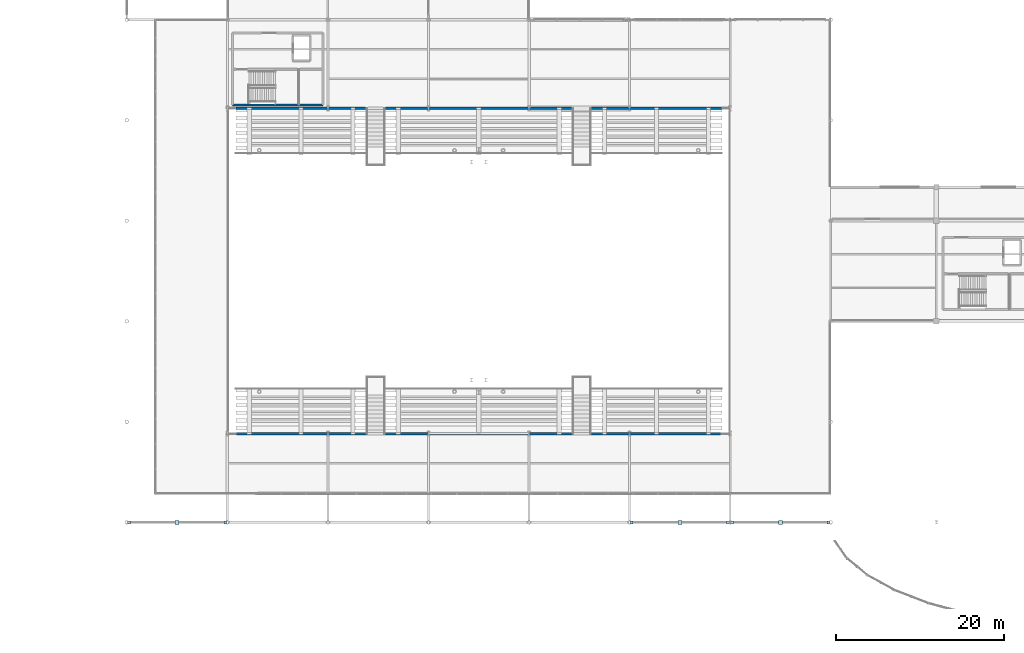
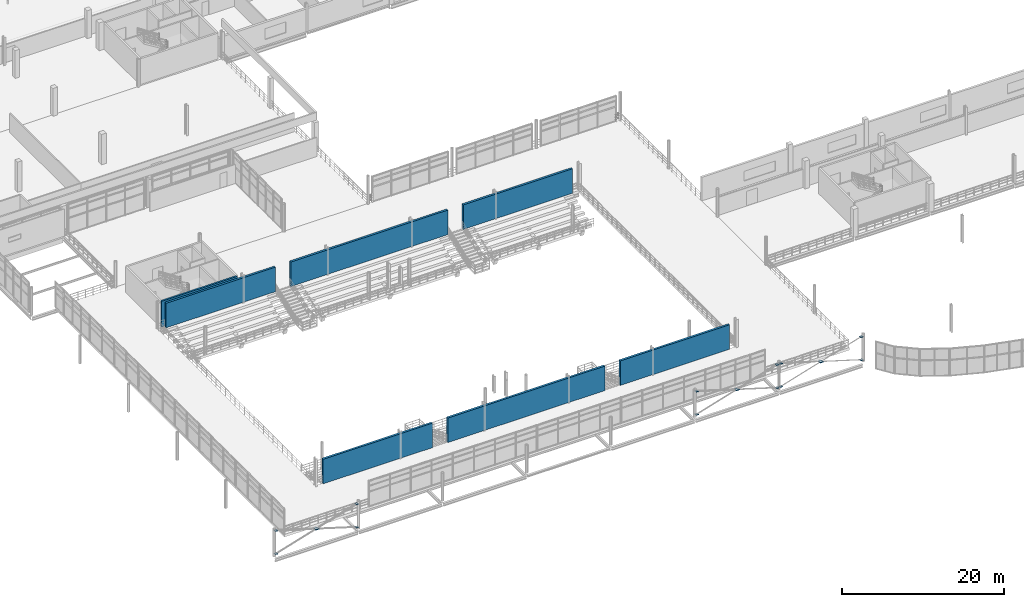
# One storey, part 64 of 89: 15 plates, 7 walls.
"""IFC4 building model written with IfcOpenShell, lengths in metres."""

from ifc_helpers import new_model, si_unit, direction, frame, frame_2d, origin, origin_2d, place, context, subcontext, project, spatial, rectangle, extrude, material, layer, layer_set, type_object, element, save


model = new_model("IFC4")

# Units and contexts
model_context = context("Model", 3, precision=1e-05, world=origin(), true_north=direction((0.0, 1.0)))
body_context = subcontext(model_context, "Body", "Model", "MODEL_VIEW")
ifc_project = project(units=[si_unit("LENGTHUNIT", "METRE"), si_unit("AREAUNIT", "SQUARE_METRE"), si_unit("VOLUMEUNIT", "CUBIC_METRE"), si_unit("PLANEANGLEUNIT", "RADIAN"), si_unit("MASSUNIT", "GRAM", prefix="KILO"), si_unit("THERMODYNAMICTEMPERATUREUNIT", "KELVIN"), si_unit("POWERUNIT", "WATT")], contexts=[model_context])

# Site, building, storey
site_placement = place(None, origin())
site = spatial("IfcSite", under=ifc_project, at=site_placement, CompositionType="ELEMENT")
building_placement = place(site_placement, origin())
building = spatial("IfcBuilding", under=site, at=building_placement, Name="Solmara Park Aquatics Centre", CompositionType="ELEMENT")
storey_placement = place(building_placement, frame((0.0, 0.0, 5.39990234375)))
storey = spatial("IfcBuildingStorey", under=building, at=storey_placement, Name="L01", CompositionType="ELEMENT", Elevation=5.39990234375)

# Plates
ifc_material_1 = material(Name="Structural Steel S355", Category="steel")
ifc_layer_1 = layer(ifc_material_1, 0.02490234375, Name="Structural Steel S355")
ifc_layer_set_1 = layer_set([ifc_layer_1], Name="Structural Steel S355")
plate_type_1 = type_object("IfcPlateType", Name="STR-PLT-CAP360", PredefinedType="SHEET", material=ifc_layer_set_1)
for number, where, z_axis, x_axis, name in (
    (1, (12.840087890625, 12.60009765625, 0.28759765625), (0.0, 0.0, 1.0), (1.0, 0.0, 0.0), "Brace End Connection Cap Plate 037"),
    (2, (24.360107421875, 12.60009765625, 3.78759765625), (0.0, 0.0, 1.0), (1.0, 0.0, 0.0), "Brace End Connection Cap Plate 038"),
    (3, (24.360107421875, 12.60009765625, 0.28759765625), (0.0, 0.0, 1.0), (1.0, 0.0, 0.0), "Brace End Connection Cap Plate 039"),
    (4, (12.840087890625, 12.60009765625, 3.78759765625), (0.0, 0.0, 1.0), (1.0, 0.0, 0.0), "Brace End Connection Cap Plate 040"),
    (5, (72.840087890625, 12.60009765625, 0.28759765625), (0.0, 0.0, 1.0), (1.0, 0.0, 0.0), "Brace End Connection Cap Plate 042"),
    (6, (84.360107421875, 12.60009765625, 3.78759765625), (0.0, 0.0, 1.0), (1.0, 0.0, 0.0), "Brace End Connection Cap Plate 043"),
    (7, (84.360107421875, 12.60009765625, 0.28759765625), (0.0, 0.0, 1.0), (1.0, 0.0, 0.0), "Brace End Connection Cap Plate 044"),
    (8, (72.840087890625, 12.60009765625, 3.78759765625), (0.0, 0.0, 1.0), (1.0, 0.0, 0.0), "Brace End Connection Cap Plate 045"),
    (9, (84.840087890625, 12.60009765625, 0.28759765625), (0.0, 0.0, 1.0), (1.0, 0.0, 0.0), "Brace End Connection Cap Plate 047"),
    (10, (96.360107421875, 12.60009765625, 3.78759765625), (0.0, 0.0, 1.0), (1.0, 0.0, 0.0), "Brace End Connection Cap Plate 048"),
    (11, (96.360107421875, 12.60009765625, 0.28759765625), (0.0, 0.0, 1.0), (1.0, 0.0, 0.0), "Brace End Connection Cap Plate 049"),
    (12, (84.840087890625, 12.60009765625, 3.78759765625), (0.0, 0.0, 1.0), (1.0, 0.0, 0.0), "Brace End Connection Cap Plate 050"),
):
    element("IfcPlate", number, at=place(storey_placement, frame(where, z_axis=z_axis, x_axis=x_axis)), inside=storey, type_object=plate_type_1, Name=name, PredefinedType="SHEET", context=body_context, shape_type="SweptSolid", body=[
        extrude(rectangle(XDim=0.360107421875, YDim=0.360107421875, at=origin_2d()), origin(), (0.0, 0.0, 1.0), 0.02490234375),
    ])
ifc_layer_2 = layer(ifc_material_1, 0.031982421875, Name="Structural Steel S355")
ifc_layer_set_2 = layer_set([ifc_layer_2], Name="Structural Steel S355")
plate_type_2 = type_object("IfcPlateType", Name="STR-PLT-GUS60", PredefinedType="USERDEFINED", material=ifc_layer_set_2)
for number, where, z_axis, x_axis, name in (
    (13, (18.60009765625, 12.60009765625, 2.0341796875), (0.0, 0.0, 1.0), (1.0, 0.0, 0.0), "X-Brace Crossing Gusset Plate 036"),
    (14, (78.60009765625, 12.60009765625, 2.0341796875), (0.0, 0.0, 1.0), (1.0, 0.0, 0.0), "X-Brace Crossing Gusset Plate 041"),
    (15, (90.60009765625, 12.60009765625, 2.0341796875), (0.0, 0.0, 1.0), (1.0, 0.0, 0.0), "X-Brace Crossing Gusset Plate 046"),
):
    element("IfcPlate", number, at=place(storey_placement, frame(where, z_axis=z_axis, x_axis=x_axis)), inside=storey, type_object=plate_type_2, Name=name, ObjectType="GUSSET PLATE", PredefinedType="USERDEFINED", context=body_context, shape_type="SweptSolid", body=[
        extrude(rectangle(XDim=0.47998046875, YDim=0.47998046875, at=origin_2d()), origin(), (0.0, 0.0, 1.0), 0.031982421875),
    ])

# Walls
ifc_material_2 = material(Name="Concrete C40/50", Category="concrete")
ifc_layer_3 = layer(ifc_material_2, 0.25, Name="Concrete C40/50")
ifc_layer_set_3 = layer_set([ifc_layer_3], Name="Concrete C40/50")
wall_type_1 = type_object("IfcWallType", Name="ARC-WL-CORE250", PredefinedType="SHEAR", material=ifc_layer_set_3)
wall_1_placement = place(storey_placement, frame((25.199951171875, 62.39990234375, 0.0), z_axis=(0.0, 0.0, 1.0), x_axis=(1.0, 0.0, 0.0)))
element("IfcWall", 16, at=wall_1_placement, inside=storey, type_object=wall_type_1, Name="CORE-4 Core Wall S L01", PredefinedType="SHEAR", context=body_context, shape_type="SweptSolid", body=[
    extrude(rectangle(XDim=10.800048828125, YDim=0.25, at=frame_2d((5.39990234375, 0.0))), origin(), (0.0, 0.0, 1.0), 3.880126953125),
])
ifc_layer_4 = layer(ifc_material_2, 0.300048828125, Name="Concrete C40/50")
ifc_layer_set_4 = layer_set([ifc_layer_4], Name="Concrete C40/50")
wall_type_2 = type_object("IfcWallType", Name="STR-WL-SHEAR300", PredefinedType="SHEAR", material=ifc_layer_set_4)
wall_2_placement = place(storey_placement, frame((25.60009765625, 62.0, 0.0), z_axis=(0.0, 0.0, 1.0), x_axis=(1.0, 0.0, 0.0)))
element("IfcWall", 17, at=wall_2_placement, inside=storey, type_object=wall_type_2, Name="Upper Stand Rear Support Wall N1", PredefinedType="SHEAR", context=body_context, shape_type="SweptSolid", body=[
    extrude(rectangle(XDim=15.599853515625, YDim=0.300048828125, at=frame_2d((7.7998046875, 0.0))), origin(), (0.0, 0.0, 1.0), 3.7001953125),
])
wall_3_placement = place(storey_placement, frame((43.39990234375, 62.0, 0.0), z_axis=(0.0, 0.0, 1.0), x_axis=(1.0, 0.0, 0.0)))
element("IfcWall", 18, at=wall_3_placement, inside=storey, type_object=wall_type_2, Name="Upper Stand Rear Support Wall N2", PredefinedType="SHEAR", context=body_context, shape_type="SweptSolid", body=[
    extrude(rectangle(XDim=22.400146484375, YDim=0.300048828125, at=frame_2d((11.2001953125, 0.0))), origin(), (0.0, 0.0, 1.0), 3.7001953125),
])
wall_4_placement = place(storey_placement, frame((68.0, 62.0, 0.0), z_axis=(0.0, 0.0, 1.0), x_axis=(1.0, 0.0, 0.0)))
element("IfcWall", 19, at=wall_4_placement, inside=storey, type_object=wall_type_2, Name="Upper Stand Rear Support Wall N3", PredefinedType="SHEAR", context=body_context, shape_type="SweptSolid", body=[
    extrude(rectangle(XDim=15.60009765625, YDim=0.300048828125, at=frame_2d((7.800048828125, 0.0))), origin(), (0.0, 0.0, 1.0), 3.7001953125),
])
wall_5_placement = place(storey_placement, frame((25.60009765625, 23.199951171875, 0.0), z_axis=(0.0, 0.0, 1.0), x_axis=(1.0, 0.0, 0.0)))
element("IfcWall", 20, at=wall_5_placement, inside=storey, type_object=wall_type_2, Name="Upper Stand Rear Support Wall S1", PredefinedType="SHEAR", context=body_context, shape_type="SweptSolid", body=[
    extrude(rectangle(XDim=15.599853515625, YDim=0.300048828125, at=frame_2d((7.7998046875, 0.0))), origin(), (0.0, 0.0, 1.0), 3.7001953125),
])
wall_6_placement = place(storey_placement, frame((43.39990234375, 23.199951171875, 0.0), z_axis=(0.0, 0.0, 1.0), x_axis=(1.0, 0.0, 0.0)))
element("IfcWall", 21, at=wall_6_placement, inside=storey, type_object=wall_type_2, Name="Upper Stand Rear Support Wall S2", PredefinedType="SHEAR", context=body_context, shape_type="SweptSolid", body=[
    extrude(rectangle(XDim=22.400146484375, YDim=0.300048828125, at=frame_2d((11.2001953125, 0.0))), origin(), (0.0, 0.0, 1.0), 3.7001953125),
])
wall_7_placement = place(storey_placement, frame((68.0, 23.199951171875, 0.0), z_axis=(0.0, 0.0, 1.0), x_axis=(1.0, 0.0, 0.0)))
element("IfcWall", 22, at=wall_7_placement, inside=storey, type_object=wall_type_2, Name="Upper Stand Rear Support Wall S3", PredefinedType="SHEAR", context=body_context, shape_type="SweptSolid", body=[
    extrude(rectangle(XDim=15.60009765625, YDim=0.300048828125, at=frame_2d((7.800048828125, 0.0))), origin(), (0.0, 0.0, 1.0), 3.7001953125),
])

save(model, "model.ifc")
